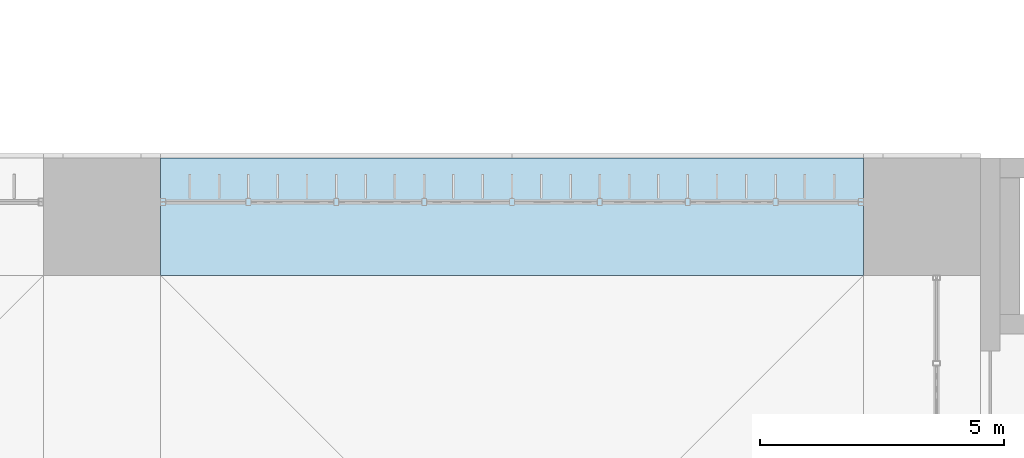
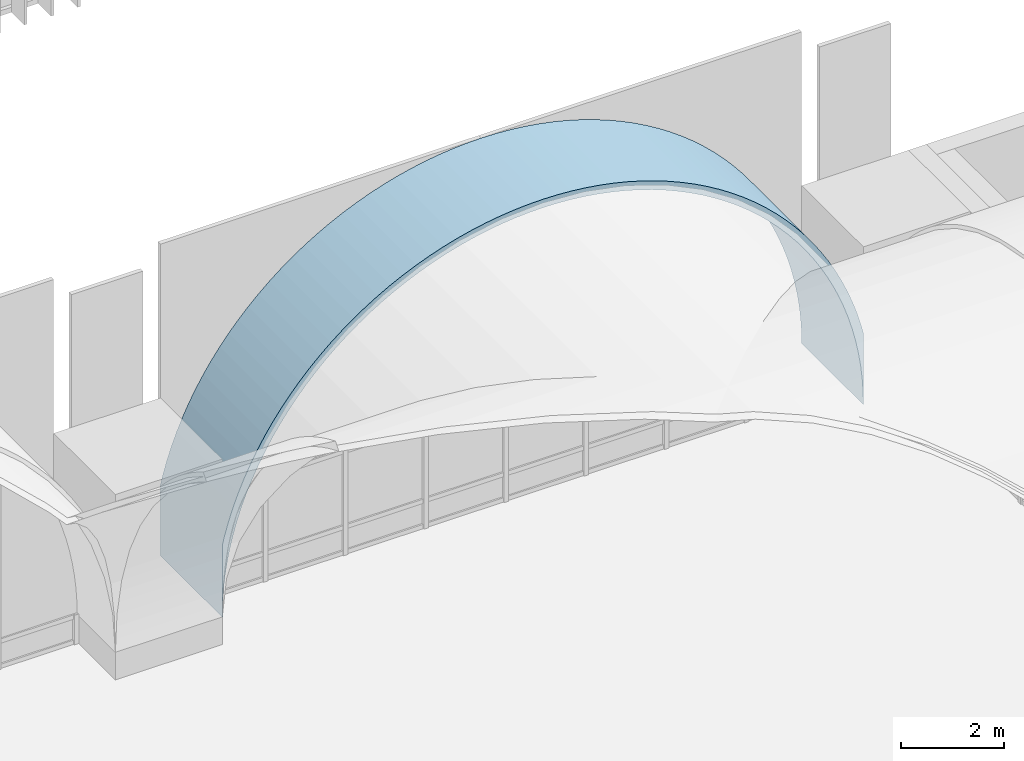
# One storey, part 145 of 169: 1 roof.
"""IFC4 building model written with IfcOpenShell, lengths in metres."""

from ifc_helpers import new_model, si_unit, direction, frame, origin, place, context, subcontext, project, spatial, polygons, material, layer, layer_set, type_object, element, save


model = new_model("IFC4")

# Units and contexts
model_context = context("Model", 3, precision=1e-05, world=origin(), true_north=direction((0.0, 1.0)))
body_context = subcontext(model_context, "Body", "Model", "MODEL_VIEW")
ifc_project = project(units=[si_unit("LENGTHUNIT", "METRE"), si_unit("AREAUNIT", "SQUARE_METRE"), si_unit("VOLUMEUNIT", "CUBIC_METRE"), si_unit("PLANEANGLEUNIT", "RADIAN"), si_unit("MASSUNIT", "GRAM", prefix="KILO")], contexts=[model_context])

# Site, building, storey
site_placement = place(None, origin())
site = spatial("IfcSite", under=ifc_project, at=site_placement, CompositionType="ELEMENT")
building_placement = place(site_placement, origin())
building = spatial("IfcBuilding", under=site, at=building_placement, Name="Verrick Yard Athletic Hall", CompositionType="ELEMENT")
storey_placement = place(building_placement, frame((0.0, 0.0, 4.39990234375)))
storey = spatial("IfcBuildingStorey", under=building, at=storey_placement, Name="L01", CompositionType="ELEMENT", Elevation=4.39990234375)

# Roof
ifc_material = material(Name="Concrete 35 MPa", Category="concrete")
ifc_layer = layer(ifc_material, 0.199951171875)
ifc_layer_set = layer_set([ifc_layer], Name="Arch rib 200")
roof_type = type_object("IfcRoofType", Name="Arch rib 200", PredefinedType="BARREL_ROOF", material=ifc_layer_set)
roof_placement = place(storey_placement, origin())
element("IfcRoof", 1, at=roof_placement, inside=storey, type_object=roof_type, Name="Vault rib N7", PredefinedType="BARREL_ROOF", context=body_context, shape_type="Tessellation", body=[
    polygons([(142.0, 51.60009765625, 2.352294921875), (142.0, 51.60009765625, 0.650146484375), (142.0068359375, 51.60009765625, 0.964111328125), (142.02734375, 51.60009765625, 1.277587890625), (142.0615234375, 51.60009765625, 1.58984375), (142.109375, 51.60009765625, 1.900390625), (142.170654296875, 51.60009765625, 2.20849609375), (142.245361328125, 51.60009765625, 2.513671875), (142.333251953125, 51.60009765625, 2.815185546875), (142.43408203125, 51.60009765625, 3.112548828125), (142.548095703125, 51.60009765625, 3.405517578125), (142.674560546875, 51.60009765625, 3.693115234375), (142.8134765625, 51.60009765625, 3.974609375), (142.964599609375, 51.60009765625, 4.25), (143.127685546875, 51.60009765625, 4.518798828125), (143.302001953125, 51.60009765625, 4.77978515625), (143.48779296875, 51.60009765625, 5.033203125), (143.6845703125, 51.60009765625, 5.278076171875), (143.8916015625, 51.60009765625, 5.514404296875), (144.10888671875, 51.60009765625, 5.7412109375), (144.335693359375, 51.60009765625, 5.95849609375), (144.572021484375, 51.60009765625, 6.16552734375), (144.81689453125, 51.60009765625, 6.3623046875), (145.0703125, 51.60009765625, 6.548095703125), (145.331298828125, 51.60009765625, 6.722412109375), (145.60009765625, 51.60009765625, 6.885498046875), (145.87548828125, 51.60009765625, 7.03662109375), (146.156982421875, 51.60009765625, 7.175537109375), (146.444580078125, 51.60009765625, 7.302001953125), (146.737548828125, 51.60009765625, 7.416015625), (147.034912109375, 51.60009765625, 7.516845703125), (147.33642578125, 51.60009765625, 7.604736328125), (147.6416015625, 51.60009765625, 7.679443359375), (147.94970703125, 51.60009765625, 7.74072265625), (148.26025390625, 51.60009765625, 7.78857421875), (148.572509765625, 51.60009765625, 7.82275390625), (148.885986328125, 51.60009765625, 7.84326171875), (149.199951171875, 51.60009765625, 7.85009765625), (149.51416015625, 51.60009765625, 7.84326171875), (149.827392578125, 51.60009765625, 7.82275390625), (150.139892578125, 51.60009765625, 7.78857421875), (150.4501953125, 51.60009765625, 7.74072265625), (150.75830078125, 51.60009765625, 7.679443359375), (151.0634765625, 51.60009765625, 7.604736328125), (151.364990234375, 51.60009765625, 7.516845703125), (151.66259765625, 51.60009765625, 7.416015625), (151.955322265625, 51.60009765625, 7.302001953125), (152.242919921875, 51.60009765625, 7.175537109375), (152.524658203125, 51.60009765625, 7.03662109375), (152.800048828125, 51.60009765625, 6.885498046875), (153.068603515625, 51.60009765625, 6.722412109375), (153.329833984375, 51.60009765625, 6.548095703125), (153.5830078125, 51.60009765625, 6.3623046875), (153.828125, 51.60009765625, 6.16552734375), (154.064208984375, 51.60009765625, 5.95849609375), (154.291259765625, 51.60009765625, 5.7412109375), (154.50830078125, 51.60009765625, 5.514404296875), (154.715576171875, 51.60009765625, 5.278076171875), (154.912109375, 51.60009765625, 5.033203125), (155.097900390625, 51.60009765625, 4.77978515625), (155.2724609375, 51.60009765625, 4.518798828125), (155.435302734375, 51.60009765625, 4.25), (155.58642578125, 51.60009765625, 3.974609375), (155.725341796875, 51.60009765625, 3.693115234375), (155.851806640625, 51.60009765625, 3.405517578125), (155.9658203125, 51.60009765625, 3.112548828125), (156.06689453125, 51.60009765625, 2.815185546875), (156.15478515625, 51.60009765625, 2.513671875), (156.229248046875, 51.60009765625, 2.20849609375), (156.29052734375, 51.60009765625, 1.900390625), (156.33837890625, 51.60009765625, 1.58984375), (156.37255859375, 51.60009765625, 1.277587890625), (156.39306640625, 51.60009765625, 0.964111328125), (156.39990234375, 51.60009765625, 0.650146484375), (156.39990234375, 51.60009765625, 2.352294921875), (156.347900390625, 51.60009765625, 2.5654296875), (156.257568359375, 51.60009765625, 2.875244140625), (156.15380859375, 51.60009765625, 3.180908203125), (156.03662109375, 51.60009765625, 3.48193359375), (155.90673828125, 51.60009765625, 3.777587890625), (155.763916015625, 51.60009765625, 4.06689453125), (155.608642578125, 51.60009765625, 4.35009765625), (155.441162109375, 51.60009765625, 4.6259765625), (155.26171875, 51.60009765625, 4.89453125), (155.07080078125, 51.60009765625, 5.15478515625), (154.86865234375, 51.60009765625, 5.40673828125), (154.656005859375, 51.60009765625, 5.6494140625), (154.4326171875, 51.60009765625, 5.8828125), (154.199462890625, 51.60009765625, 6.10595703125), (153.95654296875, 51.60009765625, 6.31884765625), (153.704833984375, 51.60009765625, 6.52099609375), (153.444580078125, 51.60009765625, 6.7119140625), (153.176025390625, 51.60009765625, 6.89111328125), (152.89990234375, 51.60009765625, 7.05859375), (152.616943359375, 51.60009765625, 7.214111328125), (152.327392578125, 51.60009765625, 7.356689453125), (152.031982421875, 51.60009765625, 7.48681640625), (151.73095703125, 51.60009765625, 7.603759765625), (151.42529296875, 51.60009765625, 7.70751953125), (151.115234375, 51.60009765625, 7.798095703125), (150.8017578125, 51.60009765625, 7.874755859375), (150.485107421875, 51.60009765625, 7.937744140625), (150.166015625, 51.60009765625, 7.98681640625), (149.844970703125, 51.60009765625, 8.02197265625), (149.522705078125, 51.60009765625, 8.043212890625), (149.199951171875, 51.60009765625, 8.050048828125), (148.877197265625, 51.60009765625, 8.043212890625), (148.554931640625, 51.60009765625, 8.02197265625), (148.234130859375, 51.60009765625, 7.98681640625), (147.9150390625, 51.60009765625, 7.937744140625), (147.598388671875, 51.60009765625, 7.874755859375), (147.28466796875, 51.60009765625, 7.798095703125), (146.974853515625, 51.60009765625, 7.70751953125), (146.669189453125, 51.60009765625, 7.603759765625), (146.3681640625, 51.60009765625, 7.48681640625), (146.072509765625, 51.60009765625, 7.356689453125), (145.783203125, 51.60009765625, 7.214111328125), (145.5, 51.60009765625, 7.05859375), (145.22412109375, 51.60009765625, 6.89111328125), (144.95556640625, 51.60009765625, 6.7119140625), (144.6953125, 51.60009765625, 6.52099609375), (144.443359375, 51.60009765625, 6.31884765625), (144.20068359375, 51.60009765625, 6.10595703125), (143.96728515625, 51.60009765625, 5.8828125), (143.744140625, 51.60009765625, 5.6494140625), (143.53125, 51.60009765625, 5.40673828125), (143.3291015625, 51.60009765625, 5.15478515625), (143.13818359375, 51.60009765625, 4.89453125), (142.958984375, 51.60009765625, 4.6259765625), (142.79150390625, 51.60009765625, 4.35009765625), (142.635986328125, 51.60009765625, 4.06689453125), (142.493408203125, 51.60009765625, 3.777587890625), (142.36328125, 51.60009765625, 3.48193359375), (142.246337890625, 51.60009765625, 3.180908203125), (142.142578125, 51.60009765625, 2.875244140625), (142.052001953125, 51.60009765625, 2.5654296875), (142.0, 54.0, 2.352294921875), (142.0, 54.0, 0.650146484375), (142.0068359375, 54.0, 0.964111328125), (142.02734375, 54.0, 1.277587890625), (142.0615234375, 54.0, 1.58984375), (142.109375, 54.0, 1.900390625), (142.170654296875, 54.0, 2.20849609375), (142.245361328125, 54.0, 2.513671875), (142.333251953125, 54.0, 2.815185546875), (142.43408203125, 54.0, 3.112548828125), (142.548095703125, 54.0, 3.405517578125), (142.674560546875, 54.0, 3.693115234375), (142.8134765625, 54.0, 3.974609375), (142.964599609375, 54.0, 4.25), (143.127685546875, 54.0, 4.518798828125), (143.302001953125, 54.0, 4.77978515625), (143.48779296875, 54.0, 5.033203125), (143.6845703125, 54.0, 5.278076171875), (143.8916015625, 54.0, 5.514404296875), (144.10888671875, 54.0, 5.7412109375), (144.335693359375, 54.0, 5.95849609375), (144.572021484375, 54.0, 6.16552734375), (144.81689453125, 54.0, 6.3623046875), (145.0703125, 54.0, 6.548095703125), (145.331298828125, 54.0, 6.722412109375), (145.60009765625, 54.0, 6.885498046875), (145.87548828125, 54.0, 7.03662109375), (146.156982421875, 54.0, 7.175537109375), (146.444580078125, 54.0, 7.302001953125), (146.737548828125, 54.0, 7.416015625), (147.034912109375, 54.0, 7.516845703125), (147.33642578125, 54.0, 7.604736328125), (147.6416015625, 54.0, 7.679443359375), (147.94970703125, 54.0, 7.74072265625), (148.26025390625, 54.0, 7.78857421875), (148.572509765625, 54.0, 7.82275390625), (148.885986328125, 54.0, 7.84326171875), (149.199951171875, 54.0, 7.85009765625), (149.51416015625, 54.0, 7.84326171875), (149.827392578125, 54.0, 7.82275390625), (150.139892578125, 54.0, 7.78857421875), (150.4501953125, 54.0, 7.74072265625), (150.75830078125, 54.0, 7.679443359375), (151.0634765625, 54.0, 7.604736328125), (151.364990234375, 54.0, 7.516845703125), (151.66259765625, 54.0, 7.416015625), (151.955322265625, 54.0, 7.302001953125), (152.242919921875, 54.0, 7.175537109375), (152.524658203125, 54.0, 7.03662109375), (152.800048828125, 54.0, 6.885498046875), (153.068603515625, 54.0, 6.722412109375), (153.329833984375, 54.0, 6.548095703125), (153.5830078125, 54.0, 6.3623046875), (153.828125, 54.0, 6.16552734375), (154.064208984375, 54.0, 5.95849609375), (154.291259765625, 54.0, 5.7412109375), (154.50830078125, 54.0, 5.514404296875), (154.715576171875, 54.0, 5.278076171875), (154.912109375, 54.0, 5.033203125), (155.097900390625, 54.0, 4.77978515625), (155.2724609375, 54.0, 4.518798828125), (155.435302734375, 54.0, 4.25), (155.58642578125, 54.0, 3.974609375), (155.725341796875, 54.0, 3.693115234375), (155.851806640625, 54.0, 3.405517578125), (155.9658203125, 54.0, 3.112548828125), (156.06689453125, 54.0, 2.815185546875), (156.15478515625, 54.0, 2.513671875), (156.229248046875, 54.0, 2.20849609375), (156.29052734375, 54.0, 1.900390625), (156.33837890625, 54.0, 1.58984375), (156.37255859375, 54.0, 1.277587890625), (156.39306640625, 54.0, 0.964111328125), (156.39990234375, 54.0, 0.650146484375), (156.39990234375, 54.0, 2.352294921875), (156.347900390625, 54.0, 2.5654296875), (156.257568359375, 54.0, 2.875244140625), (156.15380859375, 54.0, 3.180908203125), (156.03662109375, 54.0, 3.48193359375), (155.90673828125, 54.0, 3.777587890625), (155.763916015625, 54.0, 4.06689453125), (155.608642578125, 54.0, 4.35009765625), (155.441162109375, 54.0, 4.6259765625), (155.26171875, 54.0, 4.89453125), (155.07080078125, 54.0, 5.15478515625), (154.86865234375, 54.0, 5.40673828125), (154.656005859375, 54.0, 5.6494140625), (154.4326171875, 54.0, 5.8828125), (154.199462890625, 54.0, 6.10595703125), (153.95654296875, 54.0, 6.31884765625), (153.704833984375, 54.0, 6.52099609375), (153.444580078125, 54.0, 6.7119140625), (153.176025390625, 54.0, 6.89111328125), (152.89990234375, 54.0, 7.05859375), (152.616943359375, 54.0, 7.214111328125), (152.327392578125, 54.0, 7.356689453125), (152.031982421875, 54.0, 7.48681640625), (151.73095703125, 54.0, 7.603759765625), (151.42529296875, 54.0, 7.70751953125), (151.115234375, 54.0, 7.798095703125), (150.8017578125, 54.0, 7.874755859375), (150.485107421875, 54.0, 7.937744140625), (150.166015625, 54.0, 7.98681640625), (149.844970703125, 54.0, 8.02197265625), (149.522705078125, 54.0, 8.043212890625), (149.199951171875, 54.0, 8.050048828125), (148.877197265625, 54.0, 8.043212890625), (148.554931640625, 54.0, 8.02197265625), (148.234130859375, 54.0, 7.98681640625), (147.9150390625, 54.0, 7.937744140625), (147.598388671875, 54.0, 7.874755859375), (147.28466796875, 54.0, 7.798095703125), (146.974853515625, 54.0, 7.70751953125), (146.669189453125, 54.0, 7.603759765625), (146.3681640625, 54.0, 7.48681640625), (146.072509765625, 54.0, 7.356689453125), (145.783203125, 54.0, 7.214111328125), (145.5, 54.0, 7.05859375), (145.22412109375, 54.0, 6.89111328125), (144.95556640625, 54.0, 6.7119140625), (144.6953125, 54.0, 6.52099609375), (144.443359375, 54.0, 6.31884765625), (144.20068359375, 54.0, 6.10595703125), (143.96728515625, 54.0, 5.8828125), (143.744140625, 54.0, 5.6494140625), (143.53125, 54.0, 5.40673828125), (143.3291015625, 54.0, 5.15478515625), (143.13818359375, 54.0, 4.89453125), (142.958984375, 54.0, 4.6259765625), (142.79150390625, 54.0, 4.35009765625), (142.635986328125, 54.0, 4.06689453125), (142.493408203125, 54.0, 3.777587890625), (142.36328125, 54.0, 3.48193359375), (142.246337890625, 54.0, 3.180908203125), (142.142578125, 54.0, 2.875244140625), (142.052001953125, 54.0, 2.5654296875)], [[[1, 2, 3]], [[137, 139, 138]], [[136, 1, 3]], [[272, 139, 137]], [[136, 3, 4]], [[272, 140, 139]], [[136, 4, 5]], [[272, 141, 140]], [[136, 5, 6]], [[272, 142, 141]], [[136, 6, 7]], [[272, 143, 142]], [[136, 7, 8]], [[272, 144, 143]], [[136, 8, 9]], [[272, 145, 144]], [[136, 9, 10]], [[272, 146, 145]], [[136, 10, 11]], [[272, 147, 146]], [[136, 11, 12]], [[272, 148, 147]], [[136, 12, 13]], [[272, 149, 148]], [[73, 74, 75]], [[209, 211, 210]], [[72, 73, 75]], [[208, 211, 209]], [[71, 72, 75]], [[207, 211, 208]], [[70, 71, 75]], [[206, 211, 207]], [[69, 70, 75]], [[205, 211, 206]], [[68, 69, 75]], [[204, 211, 205]], [[67, 68, 75]], [[203, 211, 204]], [[66, 67, 75]], [[202, 211, 203]], [[65, 66, 75]], [[201, 211, 202]], [[64, 65, 75]], [[200, 211, 201]], [[63, 64, 75]], [[199, 211, 200]], [[63, 75, 76]], [[199, 212, 211]], [[63, 76, 77]], [[199, 213, 212]], [[62, 63, 77]], [[198, 213, 199]], [[62, 77, 78]], [[198, 214, 213]], [[61, 62, 78]], [[197, 214, 198]], [[61, 78, 79]], [[197, 215, 214]], [[60, 61, 79]], [[196, 215, 197]], [[60, 79, 80]], [[196, 216, 215]], [[59, 60, 80]], [[195, 216, 196]], [[59, 80, 81]], [[195, 217, 216]], [[58, 59, 81]], [[194, 217, 195]], [[58, 81, 82]], [[194, 218, 217]], [[57, 58, 82]], [[193, 218, 194]], [[57, 82, 83]], [[193, 219, 218]], [[56, 57, 83]], [[192, 219, 193]], [[56, 83, 84]], [[192, 220, 219]], [[55, 56, 84]], [[191, 220, 192]], [[55, 84, 85]], [[191, 221, 220]], [[54, 55, 85]], [[190, 221, 191]], [[54, 85, 86]], [[190, 222, 221]], [[53, 54, 86]], [[189, 222, 190]], [[53, 86, 87]], [[189, 223, 222]], [[52, 53, 87]], [[188, 223, 189]], [[52, 87, 88]], [[188, 224, 223]], [[51, 52, 88]], [[187, 224, 188]], [[51, 88, 89]], [[187, 225, 224]], [[50, 51, 89]], [[186, 225, 187]], [[50, 89, 90]], [[186, 226, 225]], [[49, 50, 90]], [[185, 226, 186]], [[49, 90, 91]], [[185, 227, 226]], [[48, 49, 91]], [[184, 227, 185]], [[48, 91, 92]], [[184, 228, 227]], [[47, 48, 92]], [[183, 228, 184]], [[47, 92, 93]], [[183, 229, 228]], [[46, 47, 93]], [[182, 229, 183]], [[46, 93, 94]], [[182, 230, 229]], [[45, 46, 94]], [[181, 230, 182]], [[45, 94, 95]], [[181, 231, 230]], [[44, 45, 95]], [[180, 231, 181]], [[44, 95, 96]], [[180, 232, 231]], [[43, 44, 96]], [[179, 232, 180]], [[43, 96, 97]], [[179, 233, 232]], [[42, 43, 97]], [[178, 233, 179]], [[42, 97, 98]], [[178, 234, 233]], [[41, 42, 98]], [[177, 234, 178]], [[41, 98, 99]], [[177, 235, 234]], [[40, 41, 99]], [[176, 235, 177]], [[40, 99, 100]], [[176, 236, 235]], [[39, 40, 100]], [[175, 236, 176]], [[39, 100, 101]], [[175, 237, 236]], [[38, 39, 101]], [[174, 237, 175]], [[38, 101, 102]], [[174, 238, 237]], [[37, 38, 102]], [[173, 238, 174]], [[37, 102, 103]], [[173, 239, 238]], [[36, 37, 103]], [[172, 239, 173]], [[36, 103, 104]], [[172, 240, 239]], [[35, 36, 104]], [[171, 240, 172]], [[35, 104, 105]], [[171, 241, 240]], [[34, 35, 105]], [[170, 241, 171]], [[34, 105, 106]], [[170, 242, 241]], [[33, 34, 106]], [[169, 242, 170]], [[33, 106, 107]], [[169, 243, 242]], [[32, 33, 107]], [[168, 243, 169]], [[32, 107, 108]], [[168, 244, 243]], [[31, 32, 108]], [[167, 244, 168]], [[31, 108, 109]], [[167, 245, 244]], [[30, 31, 109]], [[166, 245, 167]], [[30, 109, 110]], [[166, 246, 245]], [[29, 30, 110]], [[165, 246, 166]], [[29, 110, 111]], [[165, 247, 246]], [[28, 29, 111]], [[164, 247, 165]], [[28, 111, 112]], [[164, 248, 247]], [[27, 28, 112]], [[163, 248, 164]], [[27, 112, 113]], [[163, 249, 248]], [[26, 27, 113]], [[162, 249, 163]], [[26, 113, 114]], [[162, 250, 249]], [[25, 26, 114]], [[161, 250, 162]], [[25, 114, 115]], [[161, 251, 250]], [[24, 25, 115]], [[160, 251, 161]], [[24, 115, 116]], [[160, 252, 251]], [[23, 24, 116]], [[159, 252, 160]], [[23, 116, 117]], [[159, 253, 252]], [[22, 23, 117]], [[158, 253, 159]], [[22, 117, 118]], [[158, 254, 253]], [[21, 22, 118]], [[157, 254, 158]], [[21, 118, 119]], [[157, 255, 254]], [[20, 21, 119]], [[156, 255, 157]], [[20, 119, 120]], [[156, 256, 255]], [[19, 20, 120]], [[155, 256, 156]], [[19, 120, 121]], [[155, 257, 256]], [[18, 19, 121]], [[154, 257, 155]], [[18, 121, 122]], [[154, 258, 257]], [[17, 18, 122]], [[153, 258, 154]], [[17, 122, 123]], [[153, 259, 258]], [[16, 17, 123]], [[152, 259, 153]], [[16, 123, 124]], [[152, 260, 259]], [[15, 16, 124]], [[151, 260, 152]], [[15, 124, 125]], [[151, 261, 260]], [[14, 15, 125]], [[150, 261, 151]], [[14, 125, 126]], [[150, 262, 261]], [[13, 14, 126]], [[149, 262, 150]], [[136, 13, 126]], [[272, 262, 149]], [[136, 126, 127]], [[272, 263, 262]], [[136, 127, 128]], [[272, 264, 263]], [[136, 128, 129]], [[272, 265, 264]], [[136, 129, 130]], [[272, 266, 265]], [[136, 130, 131]], [[272, 267, 266]], [[136, 131, 132]], [[272, 268, 267]], [[136, 132, 133]], [[272, 269, 268]], [[136, 133, 134]], [[272, 270, 269]], [[134, 135, 136]], [[270, 272, 271]], [[1, 138, 2]], [[1, 137, 138]], [[2, 139, 3]], [[2, 138, 139]], [[3, 140, 4]], [[3, 139, 140]], [[4, 141, 5]], [[4, 140, 141]], [[5, 142, 6]], [[5, 141, 142]], [[6, 143, 7]], [[6, 142, 143]], [[7, 144, 8]], [[7, 143, 144]], [[8, 145, 9]], [[8, 144, 145]], [[9, 146, 10]], [[9, 145, 146]], [[10, 147, 11]], [[10, 146, 147]], [[11, 148, 12]], [[11, 147, 148]], [[12, 149, 13]], [[12, 148, 149]], [[13, 150, 14]], [[13, 149, 150]], [[14, 151, 15]], [[14, 150, 151]], [[15, 152, 16]], [[15, 151, 152]], [[16, 153, 17]], [[16, 152, 153]], [[17, 154, 18]], [[17, 153, 154]], [[18, 155, 19]], [[18, 154, 155]], [[19, 156, 20]], [[19, 155, 156]], [[20, 157, 21]], [[20, 156, 157]], [[21, 158, 22]], [[21, 157, 158]], [[22, 159, 23]], [[22, 158, 159]], [[23, 160, 24]], [[23, 159, 160]], [[24, 161, 25]], [[24, 160, 161]], [[25, 162, 26]], [[25, 161, 162]], [[26, 163, 27]], [[26, 162, 163]], [[27, 164, 28]], [[27, 163, 164]], [[28, 165, 29]], [[28, 164, 165]], [[29, 166, 30]], [[29, 165, 166]], [[30, 167, 31]], [[30, 166, 167]], [[31, 168, 32]], [[31, 167, 168]], [[32, 169, 33]], [[32, 168, 169]], [[33, 170, 34]], [[33, 169, 170]], [[34, 171, 35]], [[34, 170, 171]], [[35, 172, 36]], [[35, 171, 172]], [[36, 173, 37]], [[36, 172, 173]], [[37, 174, 38]], [[37, 173, 174]], [[38, 175, 39]], [[38, 174, 175]], [[39, 176, 40]], [[39, 175, 176]], [[40, 177, 41]], [[40, 176, 177]], [[41, 178, 42]], [[41, 177, 178]], [[42, 179, 43]], [[42, 178, 179]], [[43, 180, 44]], [[43, 179, 180]], [[44, 181, 45]], [[44, 180, 181]], [[45, 182, 46]], [[45, 181, 182]], [[46, 183, 47]], [[46, 182, 183]], [[47, 184, 48]], [[47, 183, 184]], [[48, 185, 49]], [[48, 184, 185]], [[49, 186, 50]], [[49, 185, 186]], [[50, 187, 51]], [[50, 186, 187]], [[51, 188, 52]], [[51, 187, 188]], [[52, 189, 53]], [[52, 188, 189]], [[53, 190, 54]], [[53, 189, 190]], [[54, 191, 55]], [[54, 190, 191]], [[55, 192, 56]], [[55, 191, 192]], [[56, 193, 57]], [[56, 192, 193]], [[57, 194, 58]], [[57, 193, 194]], [[58, 195, 59]], [[58, 194, 195]], [[59, 196, 60]], [[59, 195, 196]], [[60, 197, 61]], [[60, 196, 197]], [[61, 198, 62]], [[61, 197, 198]], [[62, 199, 63]], [[62, 198, 199]], [[63, 200, 64]], [[63, 199, 200]], [[64, 201, 65]], [[64, 200, 201]], [[65, 202, 66]], [[65, 201, 202]], [[66, 203, 67]], [[66, 202, 203]], [[67, 204, 68]], [[67, 203, 204]], [[68, 205, 69]], [[68, 204, 205]], [[69, 206, 70]], [[69, 205, 206]], [[70, 207, 71]], [[70, 206, 207]], [[71, 208, 72]], [[71, 207, 208]], [[72, 209, 73]], [[72, 208, 209]], [[73, 210, 74]], [[73, 209, 210]], [[74, 211, 75]], [[74, 210, 211]], [[75, 212, 76]], [[75, 211, 212]], [[76, 213, 77]], [[76, 212, 213]], [[77, 214, 78]], [[77, 213, 214]], [[78, 215, 79]], [[78, 214, 215]], [[79, 216, 80]], [[79, 215, 216]], [[80, 217, 81]], [[80, 216, 217]], [[81, 218, 82]], [[81, 217, 218]], [[82, 219, 83]], [[82, 218, 219]], [[83, 220, 84]], [[83, 219, 220]], [[84, 221, 85]], [[84, 220, 221]], [[85, 222, 86]], [[85, 221, 222]], [[86, 223, 87]], [[86, 222, 223]], [[87, 224, 88]], [[87, 223, 224]], [[88, 225, 89]], [[88, 224, 225]], [[89, 226, 90]], [[89, 225, 226]], [[90, 227, 91]], [[90, 226, 227]], [[91, 228, 92]], [[91, 227, 228]], [[92, 229, 93]], [[92, 228, 229]], [[93, 230, 94]], [[93, 229, 230]], [[94, 231, 95]], [[94, 230, 231]], [[95, 232, 96]], [[95, 231, 232]], [[96, 233, 97]], [[96, 232, 233]], [[97, 234, 98]], [[97, 233, 234]], [[98, 235, 99]], [[98, 234, 235]], [[99, 236, 100]], [[99, 235, 236]], [[100, 237, 101]], [[100, 236, 237]], [[101, 238, 102]], [[101, 237, 238]], [[102, 239, 103]], [[102, 238, 239]], [[103, 240, 104]], [[103, 239, 240]], [[104, 241, 105]], [[104, 240, 241]], [[105, 242, 106]], [[105, 241, 242]], [[106, 243, 107]], [[106, 242, 243]], [[107, 244, 108]], [[107, 243, 244]], [[108, 245, 109]], [[108, 244, 245]], [[109, 246, 110]], [[109, 245, 246]], [[110, 247, 111]], [[110, 246, 247]], [[111, 248, 112]], [[111, 247, 248]], [[112, 249, 113]], [[112, 248, 249]], [[113, 250, 114]], [[113, 249, 250]], [[114, 251, 115]], [[114, 250, 251]], [[115, 252, 116]], [[115, 251, 252]], [[116, 253, 117]], [[116, 252, 253]], [[117, 254, 118]], [[117, 253, 254]], [[118, 255, 119]], [[118, 254, 255]], [[119, 256, 120]], [[119, 255, 256]], [[120, 257, 121]], [[120, 256, 257]], [[121, 258, 122]], [[121, 257, 258]], [[122, 259, 123]], [[122, 258, 259]], [[123, 260, 124]], [[123, 259, 260]], [[124, 261, 125]], [[124, 260, 261]], [[125, 262, 126]], [[125, 261, 262]], [[126, 263, 127]], [[126, 262, 263]], [[127, 264, 128]], [[127, 263, 264]], [[128, 265, 129]], [[128, 264, 265]], [[129, 266, 130]], [[129, 265, 266]], [[130, 267, 131]], [[130, 266, 267]], [[131, 268, 132]], [[131, 267, 268]], [[132, 269, 133]], [[132, 268, 269]], [[133, 270, 134]], [[133, 269, 270]], [[134, 271, 135]], [[134, 270, 271]], [[135, 272, 136]], [[135, 271, 272]], [[136, 137, 1]], [[136, 272, 137]]], closed=True),
])

save(model, "model.ifc")
